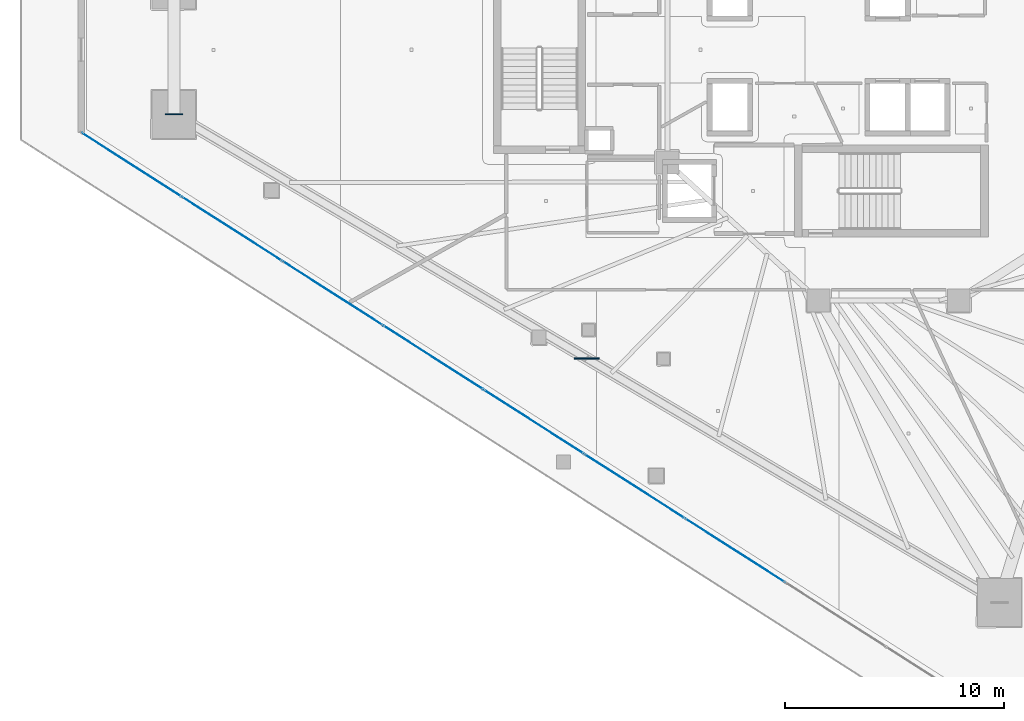
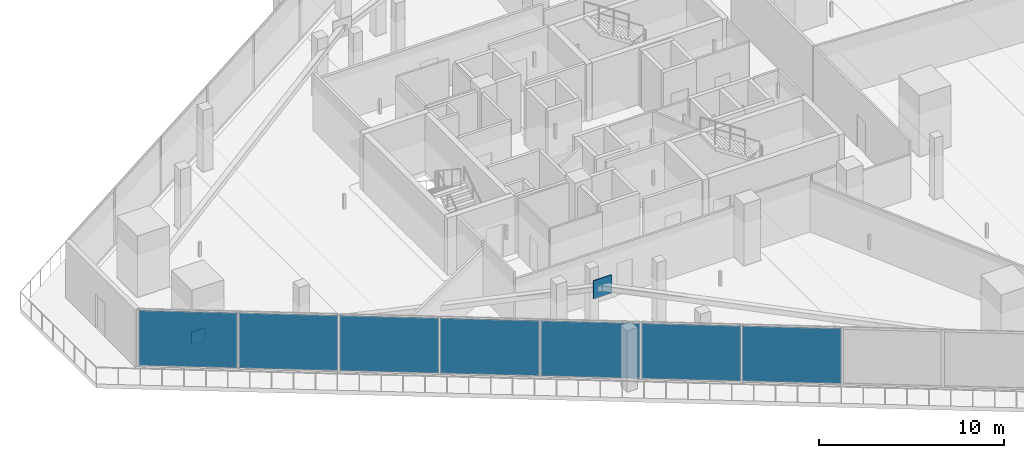
# One storey, part 25 of 40: 9 plates, 1 element without a shape of its own.
"""IFC4 building model written with IfcOpenShell, lengths in metres."""

import ifcopenshell
import ifcopenshell.guid

model = None  # the IFC model being written
_history = None  # IfcOwnerHistory: only IFC2X3 demands one
_inside = {}  # id of a spatial element -> (the spatial element, [elements in it])
_under = {}  # id of a project, library or spatial element -> (it, [spatial elements below it])
_declared = {}  # id of a project -> (the project, [libraries it declares])
_typed = {}  # id of a type object -> (the type object, [elements of that type])
_made_of = {}  # id of a material, layer set ... -> (it, [elements and type objects made of it])


def new_model(schema):
    """Start an empty IFC model of exactly this schema.

    Asked for "IFC4X3", IfcOpenShell would pick the latest addendum, in which some entities
    have other attributes; the version numbers below select the first issue.
    IFC2X3 requires an IfcOwnerHistory on every rooted entity: one is made here for all.
    """
    global model, _history
    if schema == "IFC4X3":
        model = ifcopenshell.file(schema_version=(4, 3, 0, 0))
    else:
        model = ifcopenshell.file(schema=schema)
    _inside.clear()
    _under.clear()
    _declared.clear()
    _typed.clear()
    _made_of.clear()
    _history = None
    if model.schema == "IFC2X3":
        org = make("IfcOrganization", Name="unknown")
        user = make(
            "IfcPersonAndOrganization",
            ThePerson=make("IfcPerson", FamilyName="unknown"),
            TheOrganization=org,
        )
        app = make(
            "IfcApplication",
            ApplicationDeveloper=org,
            Version="unknown",
            ApplicationFullName="unknown",
            ApplicationIdentifier="unknown",
        )
        _history = make(
            "IfcOwnerHistory",
            OwningUser=user,
            OwningApplication=app,
            ChangeAction="ADDED",
            CreationDate=0,
        )
    return model


def make(cls, **values):
    """One entity of the class cls with the attributes given. An attribute that is None is left unset."""
    return model.create_entity(
        cls, **{name: value for name, value in values.items() if value is not None}
    )


def rooted(cls, **values):
    """An entity with a GlobalId (a new one), such as an element, a storey or a relation."""
    return make(cls, GlobalId=ifcopenshell.guid.new(), OwnerHistory=_history, **values)


def si_unit(unit_type, name, prefix=None):
    """IfcSIUnit, for example si_unit("LENGTHUNIT", "METRE", prefix="MILLI")."""
    return make("IfcSIUnit", UnitType=unit_type, Prefix=prefix, Name=name)


def assignment(units):
    """IfcUnitAssignment: the units of a project."""
    return None if units is None else make("IfcUnitAssignment", Units=units)


def point(xyz):
    """IfcCartesianPoint."""
    return None if xyz is None else make("IfcCartesianPoint", Coordinates=xyz)


def direction(xyz):
    """IfcDirection."""
    return None if xyz is None else make("IfcDirection", DirectionRatios=xyz)


def frame(location, z_axis=None, x_axis=None):
    """IfcAxis2Placement3D, a coordinate frame: its origin and axes. An axis left out is left unset."""
    return make(
        "IfcAxis2Placement3D",
        Location=point(location),
        Axis=direction(z_axis),
        RefDirection=direction(x_axis),
    )


def frame_2d(location, x_axis=None):
    """IfcAxis2Placement2D, a coordinate frame in the plane: its origin and x axis."""
    return make(
        "IfcAxis2Placement2D", Location=point(location), RefDirection=direction(x_axis)
    )


def origin():
    """The frame at (0, 0, 0) with its axes left unset."""
    return frame((0.0, 0.0, 0.0))


def origin_2d():
    """The frame at (0, 0) in the plane with its x axis left unset."""
    return frame_2d((0.0, 0.0))


def place(relative_to, where):
    """IfcLocalPlacement: puts the frame where relative to a parent placement (None: the world)."""
    return make(
        "IfcLocalPlacement", PlacementRelTo=relative_to, RelativePlacement=where
    )


def context(
    kind, dimensions, precision=None, world=None, true_north=None, identifier=None
):
    """IfcGeometricRepresentationContext, for example the 3D "Model" context."""
    return make(
        "IfcGeometricRepresentationContext",
        ContextIdentifier=identifier,
        ContextType=kind,
        CoordinateSpaceDimension=dimensions,
        Precision=precision,
        WorldCoordinateSystem=world,
        TrueNorth=true_north,
    )


def subcontext(parent, identifier, kind, view, scale=None):
    """IfcGeometricRepresentationSubContext, for example "Body" below "Model"."""
    return make(
        "IfcGeometricRepresentationSubContext",
        ContextIdentifier=identifier,
        ContextType=kind,
        ParentContext=parent,
        TargetScale=scale,
        TargetView=view,
    )


def project(units=None, contexts=None):
    """IfcProject with its units and contexts."""
    return rooted(
        "IfcProject",
        Name="project",
        RepresentationContexts=contexts,
        UnitsInContext=assignment(units),
    )


def spatial(cls, under=None, at=None, **own):
    """A site, building, storey or space (cls), placed at a placement, below another one or the project."""
    s = rooted(cls, ObjectPlacement=at, **own)
    if under is not None:
        _under.setdefault(under.id(), (under, []))[1].append(s)
    return s


def profile(cls, at=None, kind="AREA", **sizes):
    """A parametric profile (cls). Its sizes go by their IFC names, for example OverallWidth=200.0."""
    return make(cls, ProfileType=kind, Position=at, **sizes)


def rectangle(**sizes):
    """IfcRectangleProfileDef."""
    return profile("IfcRectangleProfileDef", **sizes)


def extrude(swept, where, along, depth):
    """IfcExtrudedAreaSolid: the profile swept, set in the frame where, extruded along a direction by depth."""
    return make(
        "IfcExtrudedAreaSolid",
        SweptArea=swept,
        Position=where,
        ExtrudedDirection=direction(along),
        Depth=depth,
    )


def shape(context_of_items, identifier, shape_type, items):
    """IfcShapeRepresentation: the items that make up one representation, for example the "Body"."""
    return make(
        "IfcShapeRepresentation",
        ContextOfItems=context_of_items,
        RepresentationIdentifier=identifier,
        RepresentationType=shape_type,
        Items=items,
    )


def material(Name=None, Category=None):
    """IfcMaterial."""
    return make("IfcMaterial", Name=Name, Category=Category)


def layer(
    of_material, thickness, ventilated=None, Name=None, Category=None, Priority=None
):
    """IfcMaterialLayer: one layer of a wall or slab, of a material (None: an air gap)."""
    return make(
        "IfcMaterialLayer",
        Material=of_material,
        LayerThickness=thickness,
        IsVentilated=ventilated,
        Name=Name,
        Category=Category,
        Priority=Priority,
    )


def layer_set(layers, Name=None):
    """IfcMaterialLayerSet."""
    return make("IfcMaterialLayerSet", MaterialLayers=layers, LayerSetName=Name)


def made_of(thing, what):
    """Note that an element or type object is made of a material, layer set ...; save() writes the relation."""
    if what is not None:
        _made_of.setdefault(what.id(), (what, []))[1].append(thing)
    return thing


def type_object(cls, material=None, **own):
    """A type object (cls), such as IfcWallType, which elements share."""
    return made_of(rooted(cls, **own), material)


def element(
    cls,
    number,
    at=None,
    inside=None,
    cuts=None,
    type_object=None,
    material=None,
    context=None,
    identifier="Body",
    shape_type=None,
    held_by="IfcProductDefinitionShape",
    body=None,
    shapes=None,
    **own,
):
    """One element of the class cls, such as IfcWall. Its Tag is "e" and its number.

    at: its placement. inside: the storey or other place that contains it. cuts: it is an
    opening in that element (IfcRelVoidsElement). A single representation is given by context,
    identifier, shape_type and body (its items); several are given by shapes. held_by: the class
    of the entity that holds the representations. save() writes the other relations.
    """
    e = rooted(cls, Tag="e%d" % number, ObjectPlacement=at, **own)
    if body is not None:
        shapes = [shape(context, identifier, shape_type, body)]
    if shapes is not None:
        e.Representation = make(held_by, Representations=shapes)
    if inside is not None:
        _inside.setdefault(inside.id(), (inside, []))[1].append(e)
    if cuts is not None:
        rooted(
            "IfcRelVoidsElement", RelatingBuildingElement=cuts, RelatedOpeningElement=e
        )
    if type_object is not None:
        _typed.setdefault(type_object.id(), (type_object, []))[1].append(e)
    return made_of(e, material)


def aggregate(whole, parts):
    """IfcRelAggregates: a whole, such as a stair, and the parts it consists of."""
    return rooted("IfcRelAggregates", RelatingObject=whole, RelatedObjects=parts)


def save(model, path):
    """Write the relations noted so far, then the file.

    IfcRelAggregates (storeys below a building ...), IfcRelContainedInSpatialStructure (elements
    in a storey), IfcRelDefinesByType, IfcRelAssociatesMaterial and IfcRelDeclares: one each for
    every whole, place, type object, material and project.
    """
    for whole, parts in _under.values():
        aggregate(whole, parts)
    for where, things in _inside.values():
        rooted(
            "IfcRelContainedInSpatialStructure",
            RelatedElements=things,
            RelatingStructure=where,
        )
    for kind, things in _typed.values():
        rooted("IfcRelDefinesByType", RelatedObjects=things, RelatingType=kind)
    for what, things in _made_of.values():
        rooted("IfcRelAssociatesMaterial", RelatedObjects=things, RelatingMaterial=what)
    for by, libraries in _declared.values():
        rooted("IfcRelDeclares", RelatingContext=by, RelatedDefinitions=libraries)
    model.write(path)


model = new_model("IFC4")

# Units and contexts
model_context = context("Model", 3, precision=1e-05, world=origin(), true_north=direction((0.0, 1.0)))
body_context = subcontext(model_context, "Body", "Model", "MODEL_VIEW")
ifc_project = project(units=[si_unit("LENGTHUNIT", "METRE"), si_unit("AREAUNIT", "SQUARE_METRE"), si_unit("VOLUMEUNIT", "CUBIC_METRE"), si_unit("PLANEANGLEUNIT", "RADIAN"), si_unit("MASSUNIT", "GRAM", prefix="KILO")], contexts=[model_context])

# Site, building, storey
site_placement = place(None, origin())
site = spatial("IfcSite", under=ifc_project, at=site_placement, CompositionType="ELEMENT")
building_placement = place(site_placement, origin())
building = spatial("IfcBuilding", under=site, at=building_placement, Name="Qorvath Tower", CompositionType="ELEMENT")
storey_placement = place(building_placement, frame((0.0, 0.0, 138.14990234375)))
storey = spatial("IfcBuildingStorey", under=building, at=storey_placement, Name="L31", CompositionType="ELEMENT", Elevation=138.14990234375)

# Curtain wall, plates
ifc_material_1 = material(Name="Anodised aluminium and triple low-E glass", Category="aluminium")
ifc_layer_1 = layer(ifc_material_1, 0.179931640625)
ifc_layer_set_1 = layer_set([ifc_layer_1], Name="CW-SYS-3")
curtain_wall_type = type_object("IfcCurtainWallType", Name="CW-SYS-3", PredefinedType="NOTDEFINED", material=ifc_layer_set_1)
curtain_wall_placement = place(storey_placement, origin())
curtain_wall = element("IfcCurtainWall", 1, at=curtain_wall_placement, inside=storey, type_object=curtain_wall_type, Name="Curtain Wall CW-3 CW-T-L31-2.1", PredefinedType="NOTDEFINED")
ifc_material_2 = material(Name="Low-E triple insulated glass", Category="glass")
ifc_layer_2 = layer(ifc_material_2, 0.031982421875)
ifc_layer_set_2 = layer_set([ifc_layer_2], Name="CWP-GLZ-32")
plate_type_1 = type_object("IfcPlateType", Name="CWP-GLZ-32", PredefinedType="CURTAIN_PANEL", material=ifc_layer_set_2)
plate_1_placement = place(storey_placement, frame((-54.97509765625, -5.253173828125, 0.06494140625), z_axis=(0.0, 0.0, 1.0), x_axis=(0.842603525385, -0.538534399095, 0.0)))
plate_1 = element("IfcPlate", 2, at=plate_1_placement, type_object=plate_type_1, Name="CW-3 panel 1.1", PredefinedType="CURTAIN_PANEL", context=body_context, shape_type="SweptSolid", body=[
    extrude(rectangle(XDim=5.35595703125, YDim=0.031982421875, at=origin_2d()), origin(), (0.0, 0.0, 1.0), 3.64990234375),
])
plate_2_placement = place(storey_placement, frame((-50.393798828125, -8.18115234375, 0.06494140625), z_axis=(0.0, 0.0, 1.0), x_axis=(0.842603525385, -0.538534399095, 0.0)))
plate_2 = element("IfcPlate", 3, at=plate_2_placement, type_object=plate_type_1, Name="CW-3 panel 2.1", PredefinedType="CURTAIN_PANEL", context=body_context, shape_type="SweptSolid", body=[
    extrude(rectangle(XDim=5.388427734375, YDim=0.031982421875, at=origin_2d()), origin(), (0.0, 0.0, 1.0), 3.64990234375),
])
plate_3_placement = place(storey_placement, frame((-45.798828125, -11.117919921875, 0.06494140625), z_axis=(0.0, 0.0, 1.0), x_axis=(0.842603525385, -0.538534399095, 0.0)))
plate_3 = element("IfcPlate", 4, at=plate_3_placement, type_object=plate_type_1, Name="CW-3 panel 3.1", PredefinedType="CURTAIN_PANEL", context=body_context, shape_type="SweptSolid", body=[
    extrude(rectangle(XDim=5.388427734375, YDim=0.031982421875, at=origin_2d()), origin(), (0.0, 0.0, 1.0), 3.64990234375),
])
plate_4_placement = place(storey_placement, frame((-41.20361328125, -14.054931640625, 0.06494140625), z_axis=(0.0, 0.0, 1.0), x_axis=(0.842603525385, -0.538534399095, 0.0)))
plate_4 = element("IfcPlate", 5, at=plate_4_placement, type_object=plate_type_1, Name="CW-3 panel 4.1", PredefinedType="CURTAIN_PANEL", context=body_context, shape_type="SweptSolid", body=[
    extrude(rectangle(XDim=5.388427734375, YDim=0.031982421875, at=origin_2d()), origin(), (0.0, 0.0, 1.0), 3.64990234375),
])
plate_5_placement = place(storey_placement, frame((-36.608642578125, -16.99169921875, 0.06494140625), z_axis=(0.0, 0.0, 1.0), x_axis=(0.842603525385, -0.538534399095, 0.0)))
plate_5 = element("IfcPlate", 6, at=plate_5_placement, type_object=plate_type_1, Name="CW-3 panel 5.1", PredefinedType="CURTAIN_PANEL", context=body_context, shape_type="SweptSolid", body=[
    extrude(rectangle(XDim=5.388427734375, YDim=0.031982421875, at=origin_2d()), origin(), (0.0, 0.0, 1.0), 3.64990234375),
])
plate_6_placement = place(storey_placement, frame((-32.013671875, -19.928466796875, 0.06494140625), z_axis=(0.0, 0.0, 1.0), x_axis=(0.842603525385, -0.538534399095, 0.0)))
plate_6 = element("IfcPlate", 7, at=plate_6_placement, type_object=plate_type_1, Name="CW-3 panel 6.1", PredefinedType="CURTAIN_PANEL", context=body_context, shape_type="SweptSolid", body=[
    extrude(rectangle(XDim=5.388427734375, YDim=0.031982421875, at=origin_2d()), origin(), (0.0, 0.0, 1.0), 3.64990234375),
])
plate_7_placement = place(storey_placement, frame((-27.41845703125, -22.865478515625, 0.06494140625), z_axis=(0.0, 0.0, 1.0), x_axis=(0.842603525385, -0.538534399095, 0.0)))
plate_7 = element("IfcPlate", 8, at=plate_7_placement, type_object=plate_type_1, Name="CW-3 panel 7.1", PredefinedType="CURTAIN_PANEL", context=body_context, shape_type="SweptSolid", body=[
    extrude(rectangle(XDim=5.388427734375, YDim=0.031982421875, at=origin_2d()), origin(), (0.0, 0.0, 1.0), 3.64990234375),
])
aggregate(curtain_wall, [plate_1, plate_2, plate_3, plate_4, plate_5, plate_6, plate_7])

# Plates
ifc_material_3 = material(Name="Steel ASTM A572 Grade 50", Category="steel")
ifc_layer_3 = layer(ifc_material_3, 0.054931640625)
ifc_layer_set_3 = layer_set([ifc_layer_3], Name="PL-MBN1")
plate_type_2 = type_object("IfcPlateType", Name="PL-MBN1", PredefinedType="USERDEFINED", material=ifc_layer_set_3)
plate_8_placement = place(storey_placement, frame((-34.19677734375, -14.098388671875, 2.830078125), z_axis=(0.0, 0.0, 1.0), x_axis=(1.0, 0.0, 0.0)))
element("IfcPlate", 9, at=plate_8_placement, inside=storey, type_object=plate_type_2, Name="Mega-Brace Chevron Apex Gusset L31-2", ObjectType="GUSSET", PredefinedType="USERDEFINED", context=body_context, shape_type="SweptSolid", body=[
    extrude(rectangle(XDim=1.14990234375, YDim=0.054931640625, at=origin_2d()), origin(), (0.0, 0.0, 1.0), 1.199951171875),
])
plate_9_placement = place(storey_placement, frame((-53.04931640625, -2.95068359375, -0.425048828125), z_axis=(0.0, 0.0, 1.0), x_axis=(1.0, 0.0, 0.0)))
element("IfcPlate", 10, at=plate_9_placement, inside=storey, type_object=plate_type_2, Name="Brace Strut End Gusset Plate NDBG-095", ObjectType="GUSSET", PredefinedType="USERDEFINED", context=body_context, shape_type="SweptSolid", body=[
    extrude(rectangle(XDim=0.800048828125, YDim=0.054931640625, at=origin_2d()), origin(), (0.0, 0.0, 1.0), 0.85009765625),
])

save(model, "model.ifc")
